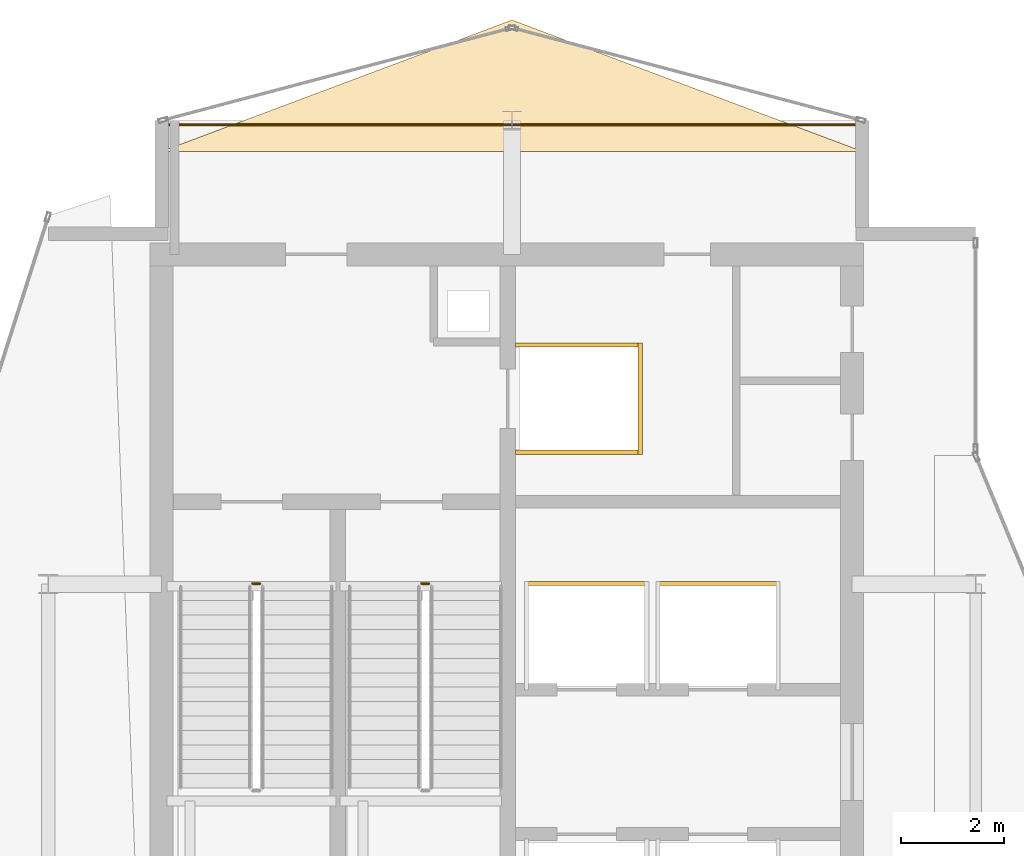
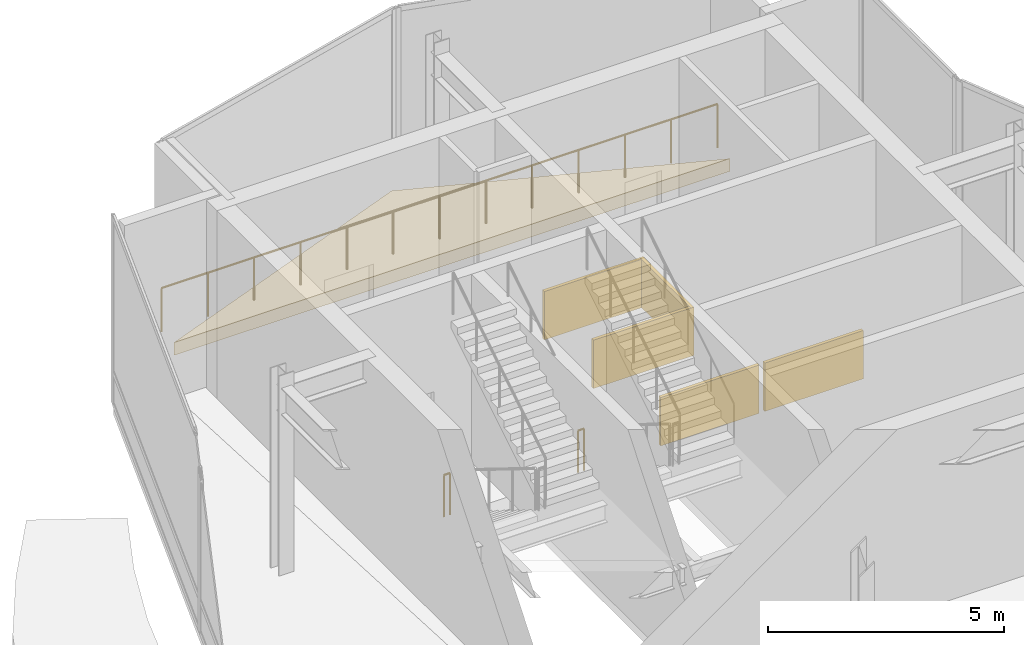
# One storey, part 21 of 21: 6 coverings, 3 railings.
"""IFC4 building model written with IfcOpenShell, lengths in metres."""

from ifc_helpers import new_model, si_unit, direction, frame, origin, origin_2d, place, context, subcontext, project, spatial, polyline, rectangle, circle, outline, extrude, material, layer, layer_set, type_object, element, save


model = new_model("IFC4")

# Units and contexts
model_context = context("Model", 3, precision=1e-05, world=origin(), true_north=direction((0.0, 1.0)))
body_context = subcontext(model_context, "Body", "Model", "MODEL_VIEW")
ifc_project = project(units=[si_unit("LENGTHUNIT", "METRE"), si_unit("AREAUNIT", "SQUARE_METRE"), si_unit("VOLUMEUNIT", "CUBIC_METRE"), si_unit("PLANEANGLEUNIT", "RADIAN"), si_unit("MASSUNIT", "GRAM", prefix="KILO")], contexts=[model_context])

# Site, building, storey
site_placement = place(None, origin())
site = spatial("IfcSite", under=ifc_project, at=site_placement, CompositionType="ELEMENT")
building_placement = place(site_placement, origin())
building = spatial("IfcBuilding", under=site, at=building_placement, Name="Solvaryn Broadcast Tower", CompositionType="ELEMENT")
storey_placement = place(building_placement, frame((0.0, 0.0, 297.39990234375)))
storey = spatial("IfcBuildingStorey", under=building, at=storey_placement, Name="L75", CompositionType="ELEMENT", Elevation=297.39990234375)

# Coverings
ifc_material_1 = material(Name="Fire-Rated Gypsum Shaftwall Liner", Category="concrete")
ifc_layer_1 = layer(ifc_material_1, 0.080078125)
ifc_layer_set_1 = layer_set([ifc_layer_1], Name="CV-SHAFT-LINER")
covering_type_1 = type_object("IfcCoveringType", Name="CV-SHAFT-LINER", PredefinedType="CLADDING", material=ifc_layer_set_1)
for number, where, z_axis, x_axis, name in (
    (1, (19.300048828125, 40.639892578125, 0.0), (0.0, 0.0, 1.0), (1.0, 0.0, 0.0), "L75 FL1 Hoistway Shaft Liner North"),
    (2, (19.300048828125, 38.56005859375, 0.0), (0.0, 0.0, 1.0), (1.0, 0.0, 0.0), "L75 FL1 Hoistway Shaft Liner South"),
):
    element("IfcCovering", number, at=place(storey_placement, frame(where, z_axis=z_axis, x_axis=x_axis)), inside=storey, type_object=covering_type_1, Name=name, PredefinedType="CLADDING", context=body_context, shape_type="SweptSolid", body=[
        extrude(rectangle(XDim=2.4599609375, YDim=0.080078125, at=origin_2d()), origin(), (0.0, 0.0, 1.0), 1.25),
    ])
covering_1_placement = place(storey_placement, frame((20.489990234375, 39.60009765625, 0.0), z_axis=(0.0, 0.0, 1.0), x_axis=(1.0, 0.0, 0.0)))
element("IfcCovering", 3, at=covering_1_placement, inside=storey, type_object=covering_type_1, Name="L75 FL1 Hoistway Shaft Liner East", PredefinedType="CLADDING", context=body_context, shape_type="SweptSolid", body=[
    extrude(rectangle(XDim=0.080078125, YDim=2.159912109375, at=origin_2d()), origin(), (0.0, 0.0, 1.0), 1.25),
])
for number, where, z_axis, x_axis, name in (
    (4, (19.449951171875, 36.014892578125, 0.0), (0.0, 0.0, 1.0), (1.0, 0.0, 0.0), "L75 PH3 Hoistway Shaft Liner North"),
    (5, (22.0, 36.014892578125, 0.0), (0.0, 0.0, 1.0), (1.0, 0.0, 0.0), "L75 PH4 Hoistway Shaft Liner North"),
):
    element("IfcCovering", number, at=place(storey_placement, frame(where, z_axis=z_axis, x_axis=x_axis)), inside=storey, type_object=covering_type_1, Name=name, PredefinedType="CLADDING", context=body_context, shape_type="SweptSolid", body=[
        extrude(rectangle(XDim=2.409912109375, YDim=0.080078125, at=origin_2d()), origin(), (0.0, 0.0, 1.0), 1.25),
    ])
ifc_material_2 = material(Name="Sculpted Architectural Terracotta Wave Fascia", Category="masonry")
ifc_layer_2 = layer(ifc_material_2, 0.340087890625)
ifc_layer_set_2 = layer_set([ifc_layer_2], Name="CV-WAVE-TRAY")
covering_type_2 = type_object("IfcCoveringType", Name="CV-WAVE-TRAY", PredefinedType="CLADDING", material=ifc_layer_set_2)
covering_2_placement = place(storey_placement, frame((0.0, 0.0, -0.2998046875)))
element("IfcCovering", 6, at=covering_2_placement, inside=storey, type_object=covering_type_2, Name="L75 North Curved Wing Deck", PredefinedType="CLADDING", context=body_context, shape_type="SweptSolid", body=[
    extrude(outline(polyline([(11.199951171875, 44.39990234375), (24.800048828125, 44.39990234375), (18.0, 46.949951171875), (11.199951171875, 44.39990234375)])), origin(), (0.0, 0.0, 1.0), 0.329833984375),
])

# Railings
ifc_material_3 = material(Name="Painted Steel Stair Well Guard", Category="steel")
railing_type_1 = type_object("IfcRailingType", Name="RL-STAIR-GUARD", PredefinedType="BALUSTRADE", material=ifc_material_3)
railing_1_placement = place(storey_placement, frame((12.9599609375, 36.010009765625, 0.0)))
element("IfcRailing", 7, at=railing_1_placement, inside=storey, type_object=railing_type_1, Name="L75 ST1 stair guard 4", PredefinedType="BALUSTRADE", context=body_context, shape_type="SweptSolid", body=[
    extrude(circle(Radius=0.02392578125, at=origin_2d()), frame((0.0, 0.0, 1.076171875), z_axis=(1.0, 0.0, 0.0), x_axis=(0.0, 1.0, 0.0)), (0.0, 0.0, 1.0), 0.150146484375),
    extrude(circle(Radius=0.02099609375, at=origin_2d()), origin(), (0.0, 0.0, 1.0), 1.052001953125),
    extrude(circle(Radius=0.02099609375, at=origin_2d()), frame((0.150146484375, 0.0, 0.0)), (0.0, 0.0, 1.0), 1.052001953125),
])
railing_2_placement = place(storey_placement, frame((16.239990234375, 36.010009765625, 0.0)))
element("IfcRailing", 8, at=railing_2_placement, inside=storey, type_object=railing_type_1, Name="L75 ST2 stair guard 4", PredefinedType="BALUSTRADE", context=body_context, shape_type="SweptSolid", body=[
    extrude(circle(Radius=0.02392578125, at=origin_2d()), frame((0.0, 0.0, 1.076171875), z_axis=(1.0, 0.0, 0.0), x_axis=(0.0, 1.0, 0.0)), (0.0, 0.0, 1.0), 0.14990234375),
    extrude(circle(Radius=0.02099609375, at=origin_2d()), origin(), (0.0, 0.0, 1.0), 1.052001953125),
    extrude(circle(Radius=0.02099609375, at=origin_2d()), frame((0.14990234375, 0.0, 0.0)), (0.0, 0.0, 1.0), 1.052001953125),
])
ifc_material_4 = material(Name="Stainless Steel and Laminated Glass Guard", Category="steel")
railing_type_2 = type_object("IfcRailingType", Name="RL-TER-1150", PredefinedType="BALUSTRADE", material=ifc_material_4)
railing_3_placement = place(storey_placement, frame((11.199951171875, 44.919921875, 0.0)))
element("IfcRailing", 9, at=railing_3_placement, inside=storey, type_object=railing_type_2, Name="L75 North Wing Spandrel Edge Guard", PredefinedType="BALUSTRADE", context=body_context, shape_type="SweptSolid", body=[
    extrude(circle(Radius=0.02392578125, at=origin_2d()), frame((0.0, 0.0, 1.1259765625), z_axis=(1.0, 0.0, 0.0), x_axis=(0.0, 1.0, 0.0)), (0.0, 0.0, 1.0), 13.60009765625),
    extrude(circle(Radius=0.02099609375, at=origin_2d()), origin(), (0.0, 0.0, 1.0), 1.101806640625),
    extrude(circle(Radius=0.02099609375, at=origin_2d()), frame((1.13330078125, 0.0, 0.0)), (0.0, 0.0, 1.0), 1.101806640625),
    extrude(circle(Radius=0.02099609375, at=origin_2d()), frame((2.2666015625, 0.0, 0.0)), (0.0, 0.0, 1.0), 1.101806640625),
    extrude(circle(Radius=0.02099609375, at=origin_2d()), frame((3.39990234375, 0.0, 0.0)), (0.0, 0.0, 1.0), 1.101806640625),
    extrude(circle(Radius=0.02099609375, at=origin_2d()), frame((4.533447265625, 0.0, 0.0)), (0.0, 0.0, 1.0), 1.101806640625),
    extrude(circle(Radius=0.02099609375, at=origin_2d()), frame((5.666748046875, 0.0, 0.0)), (0.0, 0.0, 1.0), 1.101806640625),
    extrude(circle(Radius=0.02099609375, at=origin_2d()), frame((6.800048828125, 0.0, 0.0)), (0.0, 0.0, 1.0), 1.101806640625),
    extrude(circle(Radius=0.02099609375, at=origin_2d()), frame((7.933349609375, 0.0, 0.0)), (0.0, 0.0, 1.0), 1.101806640625),
    extrude(circle(Radius=0.02099609375, at=origin_2d()), frame((9.066650390625, 0.0, 0.0)), (0.0, 0.0, 1.0), 1.101806640625),
    extrude(circle(Radius=0.02099609375, at=origin_2d()), frame((10.2001953125, 0.0, 0.0)), (0.0, 0.0, 1.0), 1.101806640625),
    extrude(circle(Radius=0.02099609375, at=origin_2d()), frame((11.33349609375, 0.0, 0.0)), (0.0, 0.0, 1.0), 1.101806640625),
    extrude(circle(Radius=0.02099609375, at=origin_2d()), frame((12.466796875, 0.0, 0.0)), (0.0, 0.0, 1.0), 1.101806640625),
    extrude(circle(Radius=0.02099609375, at=origin_2d()), frame((13.60009765625, 0.0, 0.0)), (0.0, 0.0, 1.0), 1.101806640625),
])

save(model, "model.ifc")
